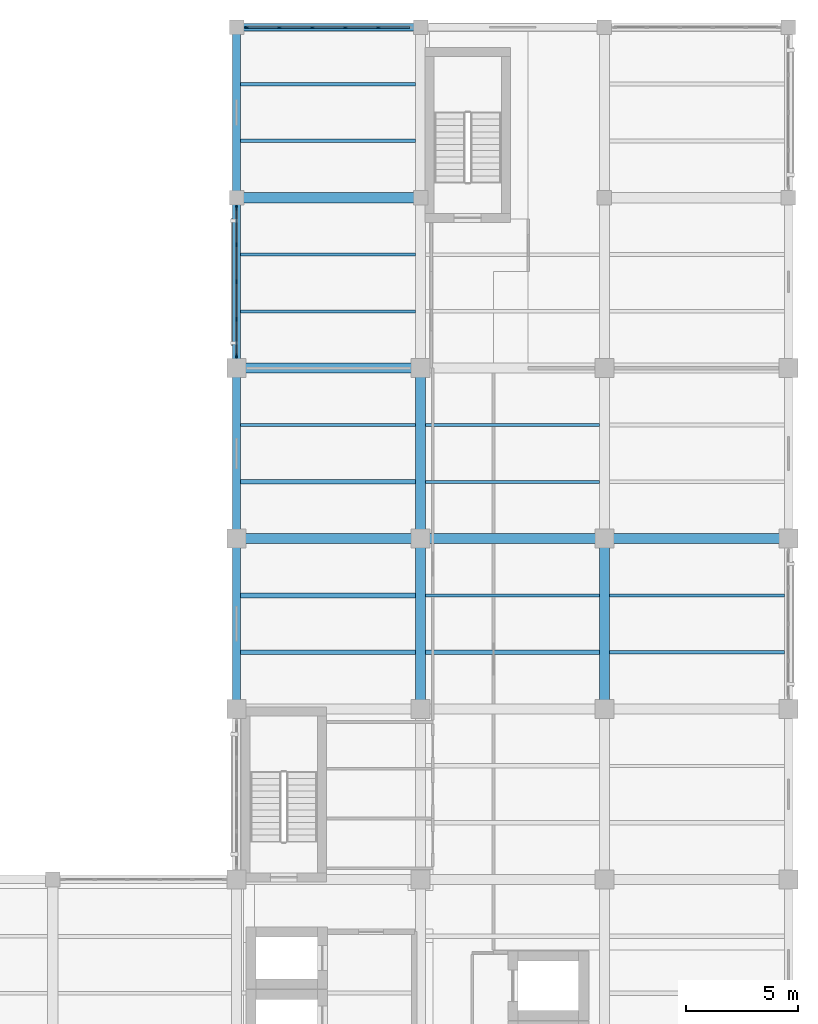
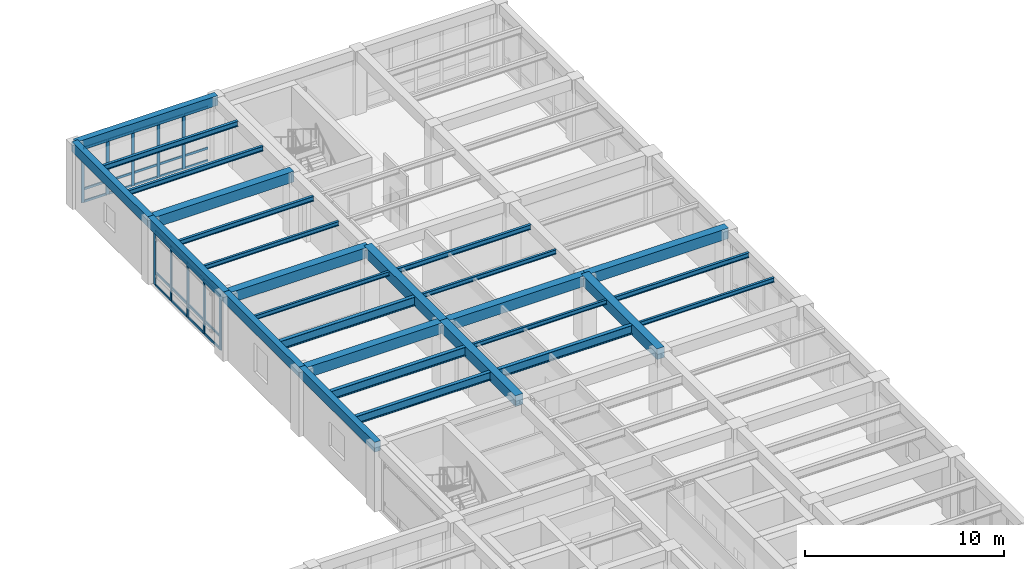
# One storey, part 4 of 16: 37 members, 27 beams, 2 elements without a shape of their own.
"""IFC4 building model written with IfcOpenShell, lengths in metres."""

from ifc_helpers import new_model, si_unit, direction, frame, origin, origin_2d, place, context, subcontext, project, spatial, rectangle, i_section, extrude, material, material_profile, profile_set, type_object, element, aggregate, save


model = new_model("IFC4")

# Units and contexts
model_context = context("Model", 3, precision=1e-05, world=origin(), true_north=direction((0.0, 1.0)))
body_context = subcontext(model_context, "Body", "Model", "MODEL_VIEW")
ifc_project = project(units=[si_unit("LENGTHUNIT", "METRE"), si_unit("AREAUNIT", "SQUARE_METRE"), si_unit("VOLUMEUNIT", "CUBIC_METRE"), si_unit("PLANEANGLEUNIT", "RADIAN"), si_unit("MASSUNIT", "GRAM", prefix="KILO")], contexts=[model_context])

# Site, building, storey
site_placement = place(None, origin())
site = spatial("IfcSite", under=ifc_project, at=site_placement, CompositionType="ELEMENT")
building_placement = place(site_placement, origin())
building = spatial("IfcBuilding", under=site, at=building_placement, Name="Qandaris Square Conservatory and Botanical Centre", CompositionType="ELEMENT")
storey_placement = place(building_placement, frame((0.0, 0.0, 24.0)))
storey = spatial("IfcBuildingStorey", under=building, at=storey_placement, Name="L05", CompositionType="ELEMENT", Elevation=24.0)

# Beams
ifc_material_1 = material(Name="Steel S355", Category="steel")
ifc_material_profile_1 = material_profile(ifc_material_1, i_section(OverallWidth=0.199951171875, OverallDepth=0.5, WebThickness=0.01025390625, FlangeThickness=0.01611328125, FilletRadius=0.02099609375, at=origin_2d()), Name="IPE 500")
ifc_profile_set_1 = profile_set([ifc_material_profile_1], Name="Steel S355")
beam_type_1 = type_object("IfcBeamType", Name="Composite Gallery Joist IPE 500", PredefinedType="JOIST", material=ifc_profile_set_1)
beam_1_placement = place(storey_placement, frame((139.375, 49.533203125, 3.669921875), z_axis=(1.0, 0.0, 0.0), x_axis=(0.0, 1.0, 0.0)))
element("IfcBeam", 1, at=beam_1_placement, inside=storey, type_object=beam_type_1, Name="L05 Composite Joist 1922", PredefinedType="JOIST", context=body_context, shape_type="SweptSolid", body=[
    extrude(i_section(OverallWidth=0.199951171875, OverallDepth=0.5, WebThickness=0.01025390625, FlangeThickness=0.01611328125, FilletRadius=0.02099609375, at=origin_2d()), origin(), (0.0, 0.0, 1.0), 7.800048828125),
])
ifc_material_profile_2 = material_profile(ifc_material_1, i_section(OverallWidth=0.14990234375, OverallDepth=0.300048828125, WebThickness=0.007080078125, FlangeThickness=0.0107421875, FilletRadius=0.014892578125, at=origin_2d()), Name="IPE 300")
ifc_profile_set_2 = profile_set([ifc_material_profile_2], Name="Steel S355")
beam_type_2 = type_object("IfcBeamType", Name="Composite Lab Joist IPE 300", PredefinedType="JOIST", material=ifc_profile_set_2)
for number, where, z_axis, x_axis, name in (
    (2, (139.375, 67.2666015625, 3.77001953125), (1.0, 0.0, 0.0), (0.0, 1.0, 0.0), "L05 Composite Joist 1927"),
    (3, (139.375, 72.333251953125, 3.77001953125), (1.0, 0.0, 0.0), (0.0, 1.0, 0.0), "L05 Composite Joist 1928"),
):
    element("IfcBeam", number, at=place(storey_placement, frame(where, z_axis=z_axis, x_axis=x_axis)), inside=storey, type_object=beam_type_2, Name=name, PredefinedType="JOIST", context=body_context, shape_type="SweptSolid", body=[
        extrude(i_section(OverallWidth=0.14990234375, OverallDepth=0.300048828125, WebThickness=0.007080078125, FlangeThickness=0.0107421875, FilletRadius=0.014892578125, at=origin_2d()), origin(), (0.0, 0.0, 1.0), 7.800048828125),
    ])
beam_2_placement = place(storey_placement, frame((147.625, 59.666748046875, 3.77001953125), z_axis=(1.0, 0.0, 0.0), x_axis=(0.0, 1.0, 0.0)))
element("IfcBeam", 4, at=beam_2_placement, inside=storey, type_object=beam_type_2, Name="L05 Composite Joist 1938", PredefinedType="JOIST", context=body_context, shape_type="SweptSolid", body=[
    extrude(i_section(OverallWidth=0.14990234375, OverallDepth=0.300048828125, WebThickness=0.007080078125, FlangeThickness=0.0107421875, FilletRadius=0.014892578125, at=origin_2d()), origin(), (0.0, 0.0, 1.0), 7.75),
])
beam_3_placement = place(storey_placement, frame((155.824951171875, 52.066650390625, 3.77001953125), z_axis=(1.0, 0.0, 0.0), x_axis=(0.0, 1.0, 0.0)))
element("IfcBeam", 5, at=beam_3_placement, inside=storey, type_object=beam_type_2, Name="L05 Composite Joist 1950", PredefinedType="JOIST", context=body_context, shape_type="SweptSolid", body=[
    extrude(i_section(OverallWidth=0.14990234375, OverallDepth=0.300048828125, WebThickness=0.007080078125, FlangeThickness=0.0107421875, FilletRadius=0.014892578125, at=origin_2d()), origin(), (0.0, 0.0, 1.0), 7.800048828125),
])
ifc_material_profile_3 = material_profile(ifc_material_1, i_section(OverallWidth=0.159912109375, OverallDepth=0.330078125, WebThickness=0.007568359375, FlangeThickness=0.011474609375, FilletRadius=0.01806640625, at=origin_2d()), Name="IPE 330")
ifc_profile_set_3 = profile_set([ifc_material_profile_3], Name="Steel S355")
beam_type_3 = type_object("IfcBeamType", Name="Composite Lab Joist IPE 330", PredefinedType="JOIST", material=ifc_profile_set_3)
beam_4_placement = place(storey_placement, frame((139.375, 74.86669921875, 3.7548828125), z_axis=(1.0, 0.0, 0.0), x_axis=(0.0, 1.0, 0.0)))
element("IfcBeam", 6, at=beam_4_placement, inside=storey, type_object=beam_type_3, Name="L05 Composite Joist 1929", PredefinedType="JOIST", context=body_context, shape_type="SweptSolid", body=[
    extrude(i_section(OverallWidth=0.159912109375, OverallDepth=0.330078125, WebThickness=0.007568359375, FlangeThickness=0.011474609375, FilletRadius=0.01806640625, at=origin_2d()), origin(), (0.0, 0.0, 1.0), 7.800048828125),
])

# Curtain wall, members
ifc_material_2 = material(Name="Anodised Aluminium", Category="aluminium")
curtain_wall_type_1 = type_object("IfcCurtainWallType", Name="Unitised Curtain Wall CW-3-735x333", PredefinedType="USERDEFINED", material=ifc_material_2)
curtain_wall_1_placement = place(storey_placement, origin())
curtain_wall_1 = element("IfcCurtainWall", 7, at=curtain_wall_1_placement, inside=storey, type_object=curtain_wall_type_1, Name="Curtain Wall CW-TWR-L05-3-3", ObjectType="GLAZED CURTAIN WALL", PredefinedType="USERDEFINED")
ifc_material_profile_4 = material_profile(ifc_material_2, rectangle(XDim=0.06494140625, YDim=0.179931640625, at=origin_2d()), Name="ALU-MUL 65x180")
ifc_profile_set_4 = profile_set([ifc_material_profile_4], Name="Anodised Aluminium")
member_type_1 = type_object("IfcMemberType", Name="Curtain Wall Mullion 65x180", PredefinedType="MULLION", material=ifc_profile_set_4)
member_1_placement = place(storey_placement, frame((145.5048828125, 77.39990234375, 0.0), z_axis=(0.0, 0.0, 1.0), x_axis=(0.0, -1.0, 0.0)))
member_1 = element("IfcMember", 8, at=member_1_placement, type_object=member_type_1, Name="CW-3-735x333 mullion 2", PredefinedType="MULLION", context=body_context, shape_type="SweptSolid", body=[
    extrude(rectangle(XDim=0.06494140625, YDim=0.179931640625, at=origin_2d()), origin(), (0.0, 0.0, 1.0), 3.330078125),
])
member_2_placement = place(storey_placement, frame((144.034912109375, 77.39990234375, 0.0), z_axis=(0.0, 0.0, 1.0), x_axis=(0.0, -1.0, 0.0)))
member_2 = element("IfcMember", 9, at=member_2_placement, type_object=member_type_1, Name="CW-3-735x333 mullion 3", PredefinedType="MULLION", context=body_context, shape_type="SweptSolid", body=[
    extrude(rectangle(XDim=0.06494140625, YDim=0.179931640625, at=origin_2d()), origin(), (0.0, 0.0, 1.0), 3.330078125),
])
member_3_placement = place(storey_placement, frame((142.56494140625, 77.39990234375, 0.0), z_axis=(0.0, 0.0, 1.0), x_axis=(0.0, -1.0, 0.0)))
member_3 = element("IfcMember", 10, at=member_3_placement, type_object=member_type_1, Name="CW-3-735x333 mullion 4", PredefinedType="MULLION", context=body_context, shape_type="SweptSolid", body=[
    extrude(rectangle(XDim=0.06494140625, YDim=0.179931640625, at=origin_2d()), origin(), (0.0, 0.0, 1.0), 3.330078125),
])
member_4_placement = place(storey_placement, frame((141.094970703125, 77.39990234375, 0.0), z_axis=(0.0, 0.0, 1.0), x_axis=(0.0, -1.0, 0.0)))
member_4 = element("IfcMember", 11, at=member_4_placement, type_object=member_type_1, Name="CW-3-735x333 mullion 5", PredefinedType="MULLION", context=body_context, shape_type="SweptSolid", body=[
    extrude(rectangle(XDim=0.06494140625, YDim=0.179931640625, at=origin_2d()), origin(), (0.0, 0.0, 1.0), 3.330078125),
])
member_5_placement = place(storey_placement, frame((139.657470703125, 77.39990234375, 0.0), z_axis=(0.0, 0.0, 1.0), x_axis=(0.0, -1.0, 0.0)))
member_5 = element("IfcMember", 12, at=member_5_placement, type_object=member_type_1, Name="CW-3-735x333 mullion 6", PredefinedType="MULLION", context=body_context, shape_type="SweptSolid", body=[
    extrude(rectangle(XDim=0.06494140625, YDim=0.179931640625, at=origin_2d()), origin(), (0.0, 0.0, 1.0), 3.330078125),
])

curtain_wall_type_2 = type_object("IfcCurtainWallType", Name="Unitised Curtain Wall CW-4-665x333", PredefinedType="USERDEFINED", material=ifc_material_2)
curtain_wall_2_placement = place(storey_placement, origin())
curtain_wall_2 = element("IfcCurtainWall", 13, at=curtain_wall_2_placement, inside=storey, type_object=curtain_wall_type_2, Name="Curtain Wall CW-TWR-L05-4-2", ObjectType="GLAZED CURTAIN WALL", PredefinedType="USERDEFINED")
member_6_placement = place(storey_placement, frame((139.199951171875, 69.342529296875, 0.0), z_axis=(0.0, 0.0, 1.0), x_axis=(1.0, 0.0, 0.0)))
member_6 = element("IfcMember", 14, at=member_6_placement, type_object=member_type_1, Name="CW-4-665x333 mullion 1", PredefinedType="MULLION", context=body_context, shape_type="SweptSolid", body=[
    extrude(rectangle(XDim=0.06494140625, YDim=0.179931640625, at=origin_2d()), origin(), (0.0, 0.0, 1.0), 3.330078125),
])
member_7_placement = place(storey_placement, frame((139.199951171875, 67.71240234375, 0.0), z_axis=(0.0, 0.0, 1.0), x_axis=(1.0, 0.0, 0.0)))
member_7 = element("IfcMember", 15, at=member_7_placement, type_object=member_type_1, Name="CW-4-665x333 mullion 2", PredefinedType="MULLION", context=body_context, shape_type="SweptSolid", body=[
    extrude(rectangle(XDim=0.06494140625, YDim=0.179931640625, at=origin_2d()), origin(), (0.0, 0.0, 1.0), 3.330078125),
])
member_8_placement = place(storey_placement, frame((139.199951171875, 66.050048828125, 0.0), z_axis=(0.0, 0.0, 1.0), x_axis=(1.0, 0.0, 0.0)))
member_8 = element("IfcMember", 16, at=member_8_placement, type_object=member_type_1, Name="CW-4-665x333 mullion 3", PredefinedType="MULLION", context=body_context, shape_type="SweptSolid", body=[
    extrude(rectangle(XDim=0.06494140625, YDim=0.179931640625, at=origin_2d()), origin(), (0.0, 0.0, 1.0), 3.330078125),
])
member_9_placement = place(storey_placement, frame((139.199951171875, 64.387451171875, 0.0), z_axis=(0.0, 0.0, 1.0), x_axis=(1.0, 0.0, 0.0)))
member_9 = element("IfcMember", 17, at=member_9_placement, type_object=member_type_1, Name="CW-4-665x333 mullion 4", PredefinedType="MULLION", context=body_context, shape_type="SweptSolid", body=[
    extrude(rectangle(XDim=0.06494140625, YDim=0.179931640625, at=origin_2d()), origin(), (0.0, 0.0, 1.0), 3.330078125),
])
member_10_placement = place(storey_placement, frame((139.199951171875, 62.757568359375, 0.0), z_axis=(0.0, 0.0, 1.0), x_axis=(1.0, 0.0, 0.0)))
member_10 = element("IfcMember", 18, at=member_10_placement, type_object=member_type_1, Name="CW-4-665x333 mullion 5", PredefinedType="MULLION", context=body_context, shape_type="SweptSolid", body=[
    extrude(rectangle(XDim=0.06494140625, YDim=0.179931640625, at=origin_2d()), origin(), (0.0, 0.0, 1.0), 3.330078125),
])

# Member
ifc_material_profile_5 = material_profile(ifc_material_2, rectangle(XDim=0.06494140625, YDim=0.139892578125, at=origin_2d()), Name="ALU-TRN 65x140")
ifc_profile_set_5 = profile_set([ifc_material_profile_5], Name="Anodised Aluminium")
member_type_2 = type_object("IfcMemberType", Name="Curtain Wall Transom 65x140", PredefinedType="USERDEFINED", material=ifc_profile_set_5)
member_11_placement = place(storey_placement, frame((146.909912109375, 77.39990234375, 0.032470703125), z_axis=(-1.0, 0.0, 0.0), x_axis=(0.0, -1.0, 0.0)))
member_11 = element("IfcMember", 19, at=member_11_placement, type_object=member_type_2, Name="CW-3-735x333 transom 1.1", ObjectType="TRANSOM", PredefinedType="USERDEFINED", context=body_context, shape_type="SweptSolid", body=[
    extrude(rectangle(XDim=0.06494140625, YDim=0.139892578125, at=origin_2d()), origin(), (0.0, 0.0, 1.0), 1.372314453125),
])

member_12_placement = place(storey_placement, frame((146.909912109375, 77.39990234375, 0.79931640625), z_axis=(-1.0, 0.0, 0.0), x_axis=(0.0, -1.0, 0.0)))
member_12 = element("IfcMember", 20, at=member_12_placement, type_object=member_type_2, Name="CW-3-735x333 transom 1.2", ObjectType="TRANSOM", PredefinedType="USERDEFINED", context=body_context, shape_type="SweptSolid", body=[
    extrude(rectangle(XDim=0.06494140625, YDim=0.139892578125, at=origin_2d()), origin(), (0.0, 0.0, 1.0), 1.372314453125),
])

member_13_placement = place(storey_placement, frame((146.909912109375, 77.39990234375, 3.297607421875), z_axis=(-1.0, 0.0, 0.0), x_axis=(0.0, -1.0, 0.0)))
member_13 = element("IfcMember", 21, at=member_13_placement, type_object=member_type_2, Name="CW-3-735x333 transom 1.3", ObjectType="TRANSOM", PredefinedType="USERDEFINED", context=body_context, shape_type="SweptSolid", body=[
    extrude(rectangle(XDim=0.06494140625, YDim=0.139892578125, at=origin_2d()), origin(), (0.0, 0.0, 1.0), 1.372314453125),
])

member_14_placement = place(storey_placement, frame((145.472412109375, 77.39990234375, 0.032470703125), z_axis=(-1.0, 0.0, 0.0), x_axis=(0.0, -1.0, 0.0)))
member_14 = element("IfcMember", 22, at=member_14_placement, type_object=member_type_2, Name="CW-3-735x333 transom 2.1", ObjectType="TRANSOM", PredefinedType="USERDEFINED", context=body_context, shape_type="SweptSolid", body=[
    extrude(rectangle(XDim=0.06494140625, YDim=0.139892578125, at=origin_2d()), origin(), (0.0, 0.0, 1.0), 1.405029296875),
])

member_15_placement = place(storey_placement, frame((145.472412109375, 77.39990234375, 0.79931640625), z_axis=(-1.0, 0.0, 0.0), x_axis=(0.0, -1.0, 0.0)))
member_15 = element("IfcMember", 23, at=member_15_placement, type_object=member_type_2, Name="CW-3-735x333 transom 2.2", ObjectType="TRANSOM", PredefinedType="USERDEFINED", context=body_context, shape_type="SweptSolid", body=[
    extrude(rectangle(XDim=0.06494140625, YDim=0.139892578125, at=origin_2d()), origin(), (0.0, 0.0, 1.0), 1.405029296875),
])

member_16_placement = place(storey_placement, frame((145.472412109375, 77.39990234375, 3.297607421875), z_axis=(-1.0, 0.0, 0.0), x_axis=(0.0, -1.0, 0.0)))
member_16 = element("IfcMember", 24, at=member_16_placement, type_object=member_type_2, Name="CW-3-735x333 transom 2.3", ObjectType="TRANSOM", PredefinedType="USERDEFINED", context=body_context, shape_type="SweptSolid", body=[
    extrude(rectangle(XDim=0.06494140625, YDim=0.139892578125, at=origin_2d()), origin(), (0.0, 0.0, 1.0), 1.405029296875),
])

member_17_placement = place(storey_placement, frame((144.00244140625, 77.39990234375, 0.032470703125), z_axis=(-1.0, 0.0, 0.0), x_axis=(0.0, -1.0, 0.0)))
member_17 = element("IfcMember", 25, at=member_17_placement, type_object=member_type_2, Name="CW-3-735x333 transom 3.1", ObjectType="TRANSOM", PredefinedType="USERDEFINED", context=body_context, shape_type="SweptSolid", body=[
    extrude(rectangle(XDim=0.06494140625, YDim=0.139892578125, at=origin_2d()), origin(), (0.0, 0.0, 1.0), 1.405029296875),
])

member_18_placement = place(storey_placement, frame((144.00244140625, 77.39990234375, 0.79931640625), z_axis=(-1.0, 0.0, 0.0), x_axis=(0.0, -1.0, 0.0)))
member_18 = element("IfcMember", 26, at=member_18_placement, type_object=member_type_2, Name="CW-3-735x333 transom 3.2", ObjectType="TRANSOM", PredefinedType="USERDEFINED", context=body_context, shape_type="SweptSolid", body=[
    extrude(rectangle(XDim=0.06494140625, YDim=0.139892578125, at=origin_2d()), origin(), (0.0, 0.0, 1.0), 1.405029296875),
])

member_19_placement = place(storey_placement, frame((144.00244140625, 77.39990234375, 3.297607421875), z_axis=(-1.0, 0.0, 0.0), x_axis=(0.0, -1.0, 0.0)))
member_19 = element("IfcMember", 27, at=member_19_placement, type_object=member_type_2, Name="CW-3-735x333 transom 3.3", ObjectType="TRANSOM", PredefinedType="USERDEFINED", context=body_context, shape_type="SweptSolid", body=[
    extrude(rectangle(XDim=0.06494140625, YDim=0.139892578125, at=origin_2d()), origin(), (0.0, 0.0, 1.0), 1.405029296875),
])

member_20_placement = place(storey_placement, frame((142.532470703125, 77.39990234375, 0.032470703125), z_axis=(-1.0, 0.0, 0.0), x_axis=(0.0, -1.0, 0.0)))
member_20 = element("IfcMember", 28, at=member_20_placement, type_object=member_type_2, Name="CW-3-735x333 transom 4.1", ObjectType="TRANSOM", PredefinedType="USERDEFINED", context=body_context, shape_type="SweptSolid", body=[
    extrude(rectangle(XDim=0.06494140625, YDim=0.139892578125, at=origin_2d()), origin(), (0.0, 0.0, 1.0), 1.405029296875),
])

member_21_placement = place(storey_placement, frame((142.532470703125, 77.39990234375, 0.79931640625), z_axis=(-1.0, 0.0, 0.0), x_axis=(0.0, -1.0, 0.0)))
member_21 = element("IfcMember", 29, at=member_21_placement, type_object=member_type_2, Name="CW-3-735x333 transom 4.2", ObjectType="TRANSOM", PredefinedType="USERDEFINED", context=body_context, shape_type="SweptSolid", body=[
    extrude(rectangle(XDim=0.06494140625, YDim=0.139892578125, at=origin_2d()), origin(), (0.0, 0.0, 1.0), 1.405029296875),
])

member_22_placement = place(storey_placement, frame((142.532470703125, 77.39990234375, 3.297607421875), z_axis=(-1.0, 0.0, 0.0), x_axis=(0.0, -1.0, 0.0)))
member_22 = element("IfcMember", 30, at=member_22_placement, type_object=member_type_2, Name="CW-3-735x333 transom 4.3", ObjectType="TRANSOM", PredefinedType="USERDEFINED", context=body_context, shape_type="SweptSolid", body=[
    extrude(rectangle(XDim=0.06494140625, YDim=0.139892578125, at=origin_2d()), origin(), (0.0, 0.0, 1.0), 1.405029296875),
])

member_23_placement = place(storey_placement, frame((141.0625, 77.39990234375, 0.032470703125), z_axis=(-1.0, 0.0, 0.0), x_axis=(0.0, -1.0, 0.0)))
member_23 = element("IfcMember", 31, at=member_23_placement, type_object=member_type_2, Name="CW-3-735x333 transom 5.1", ObjectType="TRANSOM", PredefinedType="USERDEFINED", context=body_context, shape_type="SweptSolid", body=[
    extrude(rectangle(XDim=0.06494140625, YDim=0.139892578125, at=origin_2d()), origin(), (0.0, 0.0, 1.0), 1.37255859375),
])

member_24_placement = place(storey_placement, frame((141.0625, 77.39990234375, 0.79931640625), z_axis=(-1.0, 0.0, 0.0), x_axis=(0.0, -1.0, 0.0)))
member_24 = element("IfcMember", 32, at=member_24_placement, type_object=member_type_2, Name="CW-3-735x333 transom 5.2", ObjectType="TRANSOM", PredefinedType="USERDEFINED", context=body_context, shape_type="SweptSolid", body=[
    extrude(rectangle(XDim=0.06494140625, YDim=0.139892578125, at=origin_2d()), origin(), (0.0, 0.0, 1.0), 1.37255859375),
])

member_25_placement = place(storey_placement, frame((141.0625, 77.39990234375, 3.297607421875), z_axis=(-1.0, 0.0, 0.0), x_axis=(0.0, -1.0, 0.0)))
member_25 = element("IfcMember", 33, at=member_25_placement, type_object=member_type_2, Name="CW-3-735x333 transom 5.3", ObjectType="TRANSOM", PredefinedType="USERDEFINED", context=body_context, shape_type="SweptSolid", body=[
    extrude(rectangle(XDim=0.06494140625, YDim=0.139892578125, at=origin_2d()), origin(), (0.0, 0.0, 1.0), 1.37255859375),
])

aggregate(curtain_wall_1, [member_1, member_2, member_3, member_4, member_5, member_11, member_12, member_13, member_14, member_15, member_16, member_17, member_18, member_19, member_20, member_21, member_22, member_23, member_24, member_25])

member_26_placement = place(storey_placement, frame((139.199951171875, 69.31005859375, 0.032470703125), z_axis=(0.0, -1.0, 0.0), x_axis=(1.0, 0.0, 0.0)))
member_26 = element("IfcMember", 34, at=member_26_placement, type_object=member_type_2, Name="CW-4-665x333 transom 1.1", ObjectType="TRANSOM", PredefinedType="USERDEFINED", context=body_context, shape_type="SweptSolid", body=[
    extrude(rectangle(XDim=0.06494140625, YDim=0.139892578125, at=origin_2d()), origin(), (0.0, 0.0, 1.0), 1.56494140625),
])

member_27_placement = place(storey_placement, frame((139.199951171875, 69.31005859375, 0.79931640625), z_axis=(0.0, -1.0, 0.0), x_axis=(1.0, 0.0, 0.0)))
member_27 = element("IfcMember", 35, at=member_27_placement, type_object=member_type_2, Name="CW-4-665x333 transom 1.2", ObjectType="TRANSOM", PredefinedType="USERDEFINED", context=body_context, shape_type="SweptSolid", body=[
    extrude(rectangle(XDim=0.06494140625, YDim=0.139892578125, at=origin_2d()), origin(), (0.0, 0.0, 1.0), 1.56494140625),
])

member_28_placement = place(storey_placement, frame((139.199951171875, 69.31005859375, 3.297607421875), z_axis=(0.0, -1.0, 0.0), x_axis=(1.0, 0.0, 0.0)))
member_28 = element("IfcMember", 36, at=member_28_placement, type_object=member_type_2, Name="CW-4-665x333 transom 1.3", ObjectType="TRANSOM", PredefinedType="USERDEFINED", context=body_context, shape_type="SweptSolid", body=[
    extrude(rectangle(XDim=0.06494140625, YDim=0.139892578125, at=origin_2d()), origin(), (0.0, 0.0, 1.0), 1.56494140625),
])

member_29_placement = place(storey_placement, frame((139.199951171875, 67.679931640625, 0.032470703125), z_axis=(0.0, -1.0, 0.0), x_axis=(1.0, 0.0, 0.0)))
member_29 = element("IfcMember", 37, at=member_29_placement, type_object=member_type_2, Name="CW-4-665x333 transom 2.1", ObjectType="TRANSOM", PredefinedType="USERDEFINED", context=body_context, shape_type="SweptSolid", body=[
    extrude(rectangle(XDim=0.06494140625, YDim=0.139892578125, at=origin_2d()), origin(), (0.0, 0.0, 1.0), 1.597412109375),
])

member_30_placement = place(storey_placement, frame((139.199951171875, 67.679931640625, 0.79931640625), z_axis=(0.0, -1.0, 0.0), x_axis=(1.0, 0.0, 0.0)))
member_30 = element("IfcMember", 38, at=member_30_placement, type_object=member_type_2, Name="CW-4-665x333 transom 2.2", ObjectType="TRANSOM", PredefinedType="USERDEFINED", context=body_context, shape_type="SweptSolid", body=[
    extrude(rectangle(XDim=0.06494140625, YDim=0.139892578125, at=origin_2d()), origin(), (0.0, 0.0, 1.0), 1.597412109375),
])

member_31_placement = place(storey_placement, frame((139.199951171875, 67.679931640625, 3.297607421875), z_axis=(0.0, -1.0, 0.0), x_axis=(1.0, 0.0, 0.0)))
member_31 = element("IfcMember", 39, at=member_31_placement, type_object=member_type_2, Name="CW-4-665x333 transom 2.3", ObjectType="TRANSOM", PredefinedType="USERDEFINED", context=body_context, shape_type="SweptSolid", body=[
    extrude(rectangle(XDim=0.06494140625, YDim=0.139892578125, at=origin_2d()), origin(), (0.0, 0.0, 1.0), 1.597412109375),
])

member_32_placement = place(storey_placement, frame((139.199951171875, 66.017578125, 0.032470703125), z_axis=(0.0, -1.0, 0.0), x_axis=(1.0, 0.0, 0.0)))
member_32 = element("IfcMember", 40, at=member_32_placement, type_object=member_type_2, Name="CW-4-665x333 transom 3.1", ObjectType="TRANSOM", PredefinedType="USERDEFINED", context=body_context, shape_type="SweptSolid", body=[
    extrude(rectangle(XDim=0.06494140625, YDim=0.139892578125, at=origin_2d()), origin(), (0.0, 0.0, 1.0), 1.59765625),
])

member_33_placement = place(storey_placement, frame((139.199951171875, 66.017578125, 0.79931640625), z_axis=(0.0, -1.0, 0.0), x_axis=(1.0, 0.0, 0.0)))
member_33 = element("IfcMember", 41, at=member_33_placement, type_object=member_type_2, Name="CW-4-665x333 transom 3.2", ObjectType="TRANSOM", PredefinedType="USERDEFINED", context=body_context, shape_type="SweptSolid", body=[
    extrude(rectangle(XDim=0.06494140625, YDim=0.139892578125, at=origin_2d()), origin(), (0.0, 0.0, 1.0), 1.59765625),
])

member_34_placement = place(storey_placement, frame((139.199951171875, 66.017578125, 3.297607421875), z_axis=(0.0, -1.0, 0.0), x_axis=(1.0, 0.0, 0.0)))
member_34 = element("IfcMember", 42, at=member_34_placement, type_object=member_type_2, Name="CW-4-665x333 transom 3.3", ObjectType="TRANSOM", PredefinedType="USERDEFINED", context=body_context, shape_type="SweptSolid", body=[
    extrude(rectangle(XDim=0.06494140625, YDim=0.139892578125, at=origin_2d()), origin(), (0.0, 0.0, 1.0), 1.59765625),
])

member_35_placement = place(storey_placement, frame((139.199951171875, 64.35498046875, 0.032470703125), z_axis=(0.0, -1.0, 0.0), x_axis=(1.0, 0.0, 0.0)))
member_35 = element("IfcMember", 43, at=member_35_placement, type_object=member_type_2, Name="CW-4-665x333 transom 4.1", ObjectType="TRANSOM", PredefinedType="USERDEFINED", context=body_context, shape_type="SweptSolid", body=[
    extrude(rectangle(XDim=0.06494140625, YDim=0.139892578125, at=origin_2d()), origin(), (0.0, 0.0, 1.0), 1.56494140625),
])

member_36_placement = place(storey_placement, frame((139.199951171875, 64.35498046875, 0.79931640625), z_axis=(0.0, -1.0, 0.0), x_axis=(1.0, 0.0, 0.0)))
member_36 = element("IfcMember", 44, at=member_36_placement, type_object=member_type_2, Name="CW-4-665x333 transom 4.2", ObjectType="TRANSOM", PredefinedType="USERDEFINED", context=body_context, shape_type="SweptSolid", body=[
    extrude(rectangle(XDim=0.06494140625, YDim=0.139892578125, at=origin_2d()), origin(), (0.0, 0.0, 1.0), 1.56494140625),
])

member_37_placement = place(storey_placement, frame((139.199951171875, 64.35498046875, 3.297607421875), z_axis=(0.0, -1.0, 0.0), x_axis=(1.0, 0.0, 0.0)))
member_37 = element("IfcMember", 45, at=member_37_placement, type_object=member_type_2, Name="CW-4-665x333 transom 4.3", ObjectType="TRANSOM", PredefinedType="USERDEFINED", context=body_context, shape_type="SweptSolid", body=[
    extrude(rectangle(XDim=0.06494140625, YDim=0.139892578125, at=origin_2d()), origin(), (0.0, 0.0, 1.0), 1.56494140625),
])

aggregate(curtain_wall_2, [member_6, member_7, member_8, member_9, member_10, member_26, member_27, member_28, member_29, member_30, member_31, member_32, member_33, member_34, member_35, member_36, member_37])

# Beams
ifc_material_profile_6 = material_profile(ifc_material_1, i_section(OverallWidth=0.2099609375, OverallDepth=0.550048828125, WebThickness=0.010986328125, FlangeThickness=0.01708984375, FilletRadius=0.02392578125, at=origin_2d()), Name="IPE 550")
ifc_profile_set_6 = profile_set([ifc_material_profile_6], Name="Steel S355")
beam_type_4 = type_object("IfcBeamType", Name="Long-Span Foyer Joist IPE 550", PredefinedType="JOIST", material=ifc_profile_set_6)
for number, where, z_axis, x_axis, name in (
    (46, (139.375, 52.066650390625, 3.64501953125), (1.0, 0.0, 0.0), (0.0, 1.0, 0.0), "L05 Composite Joist 1923"),
    (47, (139.375, 57.13330078125, 3.64501953125), (1.0, 0.0, 0.0), (0.0, 1.0, 0.0), "L05 Composite Joist 1924"),
):
    element("IfcBeam", number, at=place(storey_placement, frame(where, z_axis=z_axis, x_axis=x_axis)), inside=storey, type_object=beam_type_4, Name=name, PredefinedType="JOIST", context=body_context, shape_type="SweptSolid", body=[
        extrude(i_section(OverallWidth=0.2099609375, OverallDepth=0.550048828125, WebThickness=0.010986328125, FlangeThickness=0.01708984375, FilletRadius=0.02392578125, at=origin_2d()), origin(), (0.0, 0.0, 1.0), 7.800048828125),
    ])
beam_5_placement = place(storey_placement, frame((147.625, 49.533203125, 3.64501953125), z_axis=(1.0, 0.0, 0.0), x_axis=(0.0, 1.0, 0.0)))
element("IfcBeam", 48, at=beam_5_placement, inside=storey, type_object=beam_type_4, Name="L05 Composite Joist 1935", PredefinedType="JOIST", context=body_context, shape_type="SweptSolid", body=[
    extrude(i_section(OverallWidth=0.2099609375, OverallDepth=0.550048828125, WebThickness=0.010986328125, FlangeThickness=0.01708984375, FilletRadius=0.02392578125, at=origin_2d()), origin(), (0.0, 0.0, 1.0), 7.75),
])
ifc_material_3 = material(Name="Concrete C50/60", Category="concrete")
ifc_material_profile_7 = material_profile(ifc_material_3, rectangle(XDim=0.35009765625, YDim=0.60009765625, at=origin_2d()), Name="RC-SP 350x600")
ifc_profile_set_7 = profile_set([ifc_material_profile_7], Name="Concrete C50/60")
beam_type_5 = type_object("IfcBeamType", Name="RC Edge Spandrel Beam 350x600", PredefinedType="SPANDREL", material=ifc_profile_set_7)
beam_6_placement = place(storey_placement, frame((139.199951171875, 77.39990234375, 3.6298828125), z_axis=(1.0, 0.0, 0.0), x_axis=(0.0, 1.0, 0.0)))
element("IfcBeam", 49, at=beam_6_placement, inside=storey, type_object=beam_type_5, Name="L05 Frame Beam 1857", PredefinedType="SPANDREL", context=body_context, shape_type="SweptSolid", body=[
    extrude(rectangle(XDim=0.35009765625, YDim=0.60009765625, at=origin_2d()), origin(), (0.0, 0.0, 1.0), 8.199951171875),
])
beam_7_placement = place(storey_placement, frame((139.199951171875, 47.0, 3.6298828125), z_axis=(0.0, 1.0, 0.0), x_axis=(-1.0, 0.0, 0.0)))
element("IfcBeam", 50, at=beam_7_placement, inside=storey, type_object=beam_type_5, Name="L05 Frame Beam 1873", PredefinedType="SPANDREL", context=body_context, shape_type="SweptSolid", body=[
    extrude(rectangle(XDim=0.35009765625, YDim=0.60009765625, at=origin_2d()), origin(), (0.0, 0.0, 1.0), 7.60009765625),
])
beam_8_placement = place(storey_placement, frame((139.199951171875, 54.60009765625, 3.6298828125), z_axis=(0.0, 1.0, 0.0), x_axis=(-1.0, 0.0, 0.0)))
element("IfcBeam", 51, at=beam_8_placement, inside=storey, type_object=beam_type_5, Name="L05 Frame Beam 1874", PredefinedType="SPANDREL", context=body_context, shape_type="SweptSolid", body=[
    extrude(rectangle(XDim=0.35009765625, YDim=0.60009765625, at=origin_2d()), origin(), (0.0, 0.0, 1.0), 7.599853515625),
])
beam_9_placement = place(storey_placement, frame((139.199951171875, 62.199951171875, 3.6298828125), z_axis=(0.0, 1.0, 0.0), x_axis=(-1.0, 0.0, 0.0)))
element("IfcBeam", 52, at=beam_9_placement, inside=storey, type_object=beam_type_5, Name="L05 Frame Beam 1875", PredefinedType="SPANDREL", context=body_context, shape_type="SweptSolid", body=[
    extrude(rectangle(XDim=0.35009765625, YDim=0.60009765625, at=origin_2d()), origin(), (0.0, 0.0, 1.0), 7.60009765625),
])
beam_10_placement = place(storey_placement, frame((139.199951171875, 69.800048828125, 3.6298828125), z_axis=(0.0, 1.0, 0.0), x_axis=(-1.0, 0.0, 0.0)))
element("IfcBeam", 53, at=beam_10_placement, inside=storey, type_object=beam_type_5, Name="L05 Frame Beam 1876", PredefinedType="SPANDREL", context=body_context, shape_type="SweptSolid", body=[
    extrude(rectangle(XDim=0.35009765625, YDim=0.60009765625, at=origin_2d()), origin(), (0.0, 0.0, 1.0), 7.599853515625),
])
ifc_material_profile_8 = material_profile(ifc_material_3, rectangle(XDim=0.449951171875, YDim=0.64990234375, at=origin_2d()), Name="RC-BM 450x650")
ifc_profile_set_8 = profile_set([ifc_material_profile_8], Name="Concrete C50/60")
beam_type_6 = type_object("IfcBeamType", Name="RC Floor Girder 450x650", PredefinedType="BEAM", material=ifc_profile_set_8)
beam_11_placement = place(storey_placement, frame((139.199951171875, 54.60009765625, 3.60498046875), z_axis=(1.0, 0.0, 0.0), x_axis=(0.0, 1.0, 0.0)))
element("IfcBeam", 54, at=beam_11_placement, inside=storey, type_object=beam_type_6, Name="L05 Frame Beam 1849", PredefinedType="BEAM", context=body_context, shape_type="SweptSolid", body=[
    extrude(rectangle(XDim=0.449951171875, YDim=0.64990234375, at=origin_2d()), origin(), (0.0, 0.0, 1.0), 8.199951171875),
])
beam_12_placement = place(storey_placement, frame((147.39990234375, 54.60009765625, 3.60498046875), z_axis=(1.0, 0.0, 0.0), x_axis=(0.0, 1.0, 0.0)))
element("IfcBeam", 55, at=beam_12_placement, inside=storey, type_object=beam_type_6, Name="L05 Frame Beam 1850", PredefinedType="BEAM", context=body_context, shape_type="SweptSolid", body=[
    extrude(rectangle(XDim=0.449951171875, YDim=0.64990234375, at=origin_2d()), origin(), (0.0, 0.0, 1.0), 8.2001953125),
])
for number, where, z_axis, x_axis, name in (
    (56, (155.60009765625, 54.60009765625, 3.60498046875), (1.0, 0.0, 0.0), (0.0, 1.0, 0.0), "L05 Frame Beam 1851"),
    (57, (139.199951171875, 62.199951171875, 3.60498046875), (1.0, 0.0, 0.0), (0.0, 1.0, 0.0), "L05 Frame Beam 1852"),
    (58, (139.199951171875, 69.800048828125, 3.60498046875), (1.0, 0.0, 0.0), (0.0, 1.0, 0.0), "L05 Frame Beam 1855"),
):
    element("IfcBeam", number, at=place(storey_placement, frame(where, z_axis=z_axis, x_axis=x_axis)), inside=storey, type_object=beam_type_6, Name=name, PredefinedType="BEAM", context=body_context, shape_type="SweptSolid", body=[
        extrude(rectangle(XDim=0.449951171875, YDim=0.64990234375, at=origin_2d()), origin(), (0.0, 0.0, 1.0), 8.199951171875),
    ])
beam_13_placement = place(storey_placement, frame((147.39990234375, 47.0, 3.60498046875), z_axis=(0.0, 1.0, 0.0), x_axis=(-1.0, 0.0, 0.0)))
element("IfcBeam", 59, at=beam_13_placement, inside=storey, type_object=beam_type_6, Name="L05 Frame Beam 1881", PredefinedType="BEAM", context=body_context, shape_type="SweptSolid", body=[
    extrude(rectangle(XDim=0.449951171875, YDim=0.64990234375, at=origin_2d()), origin(), (0.0, 0.0, 1.0), 7.60009765625),
])
beam_14_placement = place(storey_placement, frame((147.39990234375, 54.60009765625, 3.60498046875), z_axis=(0.0, 1.0, 0.0), x_axis=(-1.0, 0.0, 0.0)))
element("IfcBeam", 60, at=beam_14_placement, inside=storey, type_object=beam_type_6, Name="L05 Frame Beam 1882", PredefinedType="BEAM", context=body_context, shape_type="SweptSolid", body=[
    extrude(rectangle(XDim=0.449951171875, YDim=0.64990234375, at=origin_2d()), origin(), (0.0, 0.0, 1.0), 7.599853515625),
])
beam_15_placement = place(storey_placement, frame((155.60009765625, 47.0, 3.60498046875), z_axis=(0.0, 1.0, 0.0), x_axis=(-1.0, 0.0, 0.0)))
element("IfcBeam", 61, at=beam_15_placement, inside=storey, type_object=beam_type_6, Name="L05 Frame Beam 1889", PredefinedType="BEAM", context=body_context, shape_type="SweptSolid", body=[
    extrude(rectangle(XDim=0.449951171875, YDim=0.64990234375, at=origin_2d()), origin(), (0.0, 0.0, 1.0), 7.60009765625),
])
ifc_material_profile_9 = material_profile(ifc_material_1, i_section(OverallWidth=0.135009765625, OverallDepth=0.27001953125, WebThickness=0.006591796875, FlangeThickness=0.01025390625, FilletRadius=0.014892578125, at=origin_2d()), Name="IPE 270")
ifc_profile_set_9 = profile_set([ifc_material_profile_9], Name="Steel S355")
beam_type_7 = type_object("IfcBeamType", Name="Steel Floor Joist IPE 270", PredefinedType="JOIST", material=ifc_profile_set_9)
for number, where, z_axis, x_axis, name in (
    (62, (139.375, 59.666748046875, 3.784912109375), (1.0, 0.0, 0.0), (0.0, 1.0, 0.0), "L05 Composite Joist 1925"),
    (63, (139.375, 64.7333984375, 3.784912109375), (1.0, 0.0, 0.0), (0.0, 1.0, 0.0), "L05 Composite Joist 1926"),
):
    element("IfcBeam", number, at=place(storey_placement, frame(where, z_axis=z_axis, x_axis=x_axis)), inside=storey, type_object=beam_type_7, Name=name, PredefinedType="JOIST", context=body_context, shape_type="SweptSolid", body=[
        extrude(i_section(OverallWidth=0.135009765625, OverallDepth=0.27001953125, WebThickness=0.006591796875, FlangeThickness=0.01025390625, FilletRadius=0.014892578125, at=origin_2d()), origin(), (0.0, 0.0, 1.0), 7.800048828125),
    ])
for number, where, z_axis, x_axis, name in (
    (64, (147.625, 52.066650390625, 3.784912109375), (1.0, 0.0, 0.0), (0.0, 1.0, 0.0), "L05 Composite Joist 1936"),
    (65, (147.625, 57.13330078125, 3.784912109375), (1.0, 0.0, 0.0), (0.0, 1.0, 0.0), "L05 Composite Joist 1937"),
):
    element("IfcBeam", number, at=place(storey_placement, frame(where, z_axis=z_axis, x_axis=x_axis)), inside=storey, type_object=beam_type_7, Name=name, PredefinedType="JOIST", context=body_context, shape_type="SweptSolid", body=[
        extrude(i_section(OverallWidth=0.135009765625, OverallDepth=0.27001953125, WebThickness=0.006591796875, FlangeThickness=0.01025390625, FilletRadius=0.014892578125, at=origin_2d()), origin(), (0.0, 0.0, 1.0), 7.75),
    ])
beam_16_placement = place(storey_placement, frame((155.824951171875, 49.533203125, 3.784912109375), z_axis=(1.0, 0.0, 0.0), x_axis=(0.0, 1.0, 0.0)))
element("IfcBeam", 66, at=beam_16_placement, inside=storey, type_object=beam_type_7, Name="L05 Composite Joist 1949", PredefinedType="JOIST", context=body_context, shape_type="SweptSolid", body=[
    extrude(i_section(OverallWidth=0.135009765625, OverallDepth=0.27001953125, WebThickness=0.006591796875, FlangeThickness=0.01025390625, FilletRadius=0.014892578125, at=origin_2d()), origin(), (0.0, 0.0, 1.0), 7.800048828125),
])

save(model, "model.ifc")
